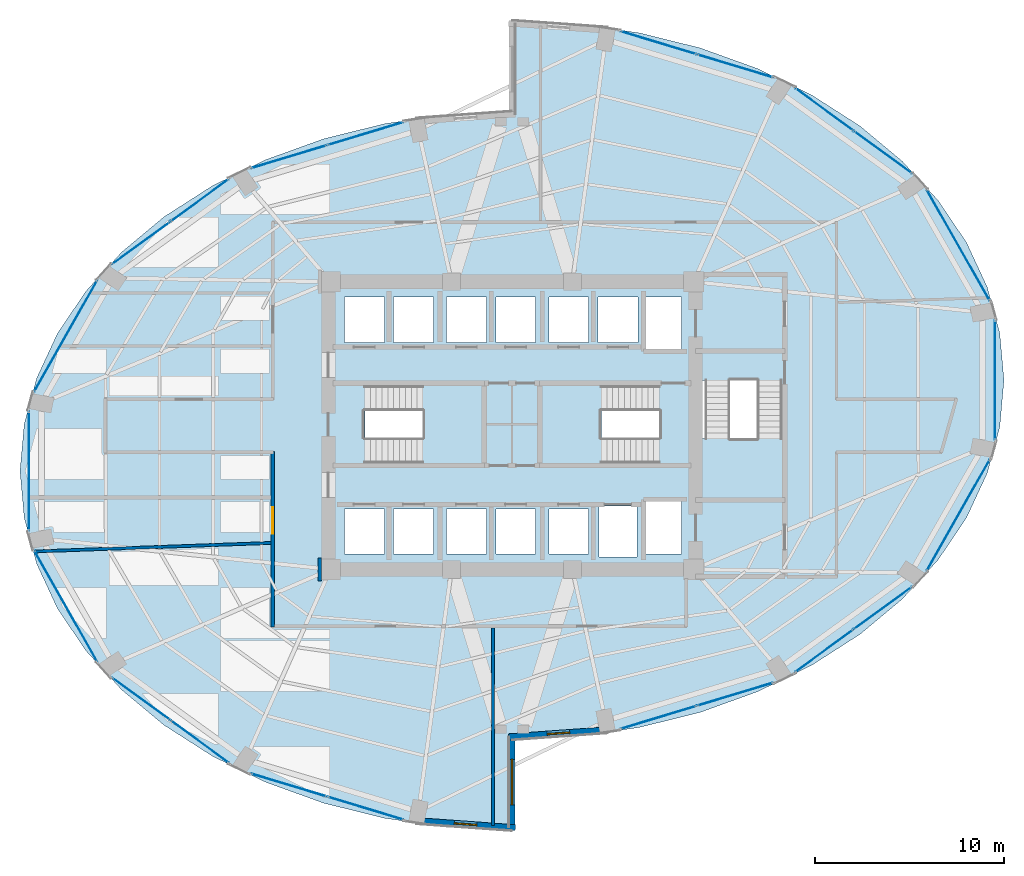
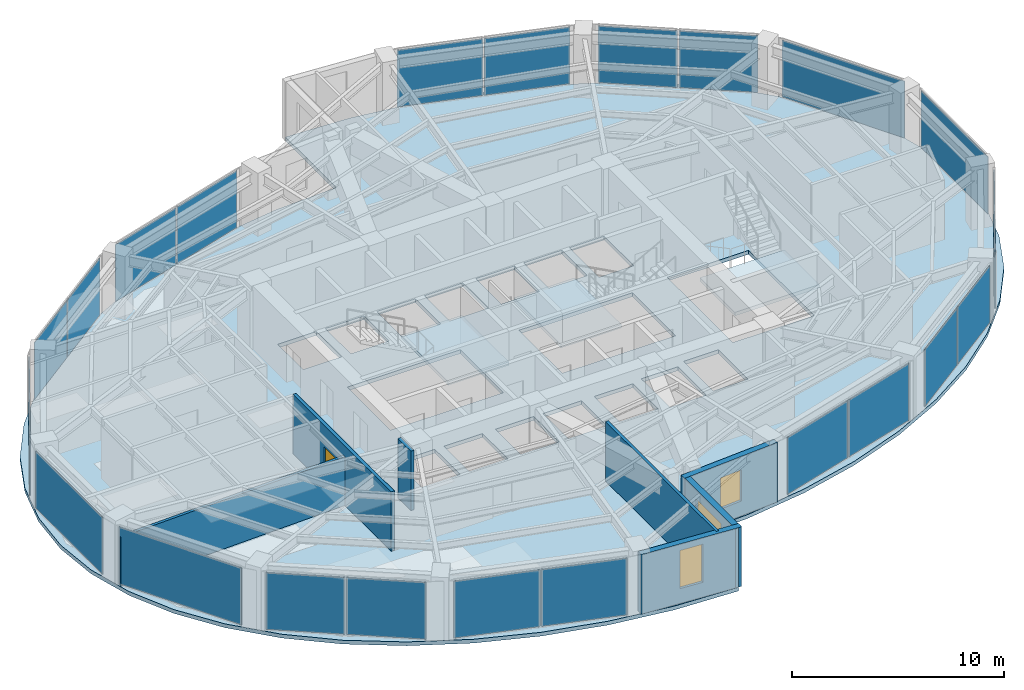
# One storey, part 18 of 23: 22 plates, 7 walls, 4 slabs, 3 windows, 1 door, 4 openings, 17 elements without a shape of their own.
"""IFC4 building model written with IfcOpenShell, lengths in metres."""

from ifc_helpers import new_model, si_unit, direction, frame, frame_2d, origin, origin_2d, place, context, subcontext, project, spatial, polyline, rectangle, outline, extrude, material, layer, layer_set, type_object, element, fill, aggregate, save


model = new_model("IFC4")

# Units and contexts
model_context = context("Model", 3, precision=1e-05, world=origin(), true_north=direction((0.0, 1.0)))
body_context = subcontext(model_context, "Body", "Model", "MODEL_VIEW")
ifc_project = project(units=[si_unit("LENGTHUNIT", "METRE"), si_unit("AREAUNIT", "SQUARE_METRE"), si_unit("VOLUMEUNIT", "CUBIC_METRE"), si_unit("PLANEANGLEUNIT", "RADIAN"), si_unit("MASSUNIT", "GRAM", prefix="KILO")], contexts=[model_context])

# Site, building, storey
site_placement = place(None, origin())
site = spatial("IfcSite", under=ifc_project, at=site_placement, CompositionType="ELEMENT")
building_placement = place(site_placement, origin())
building = spatial("IfcBuilding", under=site, at=building_placement, Name="Lazwardi Medical Tower", CompositionType="ELEMENT")
storey_placement = place(building_placement, frame((0.0, 0.0, 92.68798828125)))
storey = spatial("IfcBuildingStorey", under=building, at=storey_placement, Name="L23", CompositionType="ELEMENT", Elevation=92.68798828125)

# Curtain wall, plates
ifc_material_1 = material(Name="Anodised bronze aluminium and solar control glazing", Category="aluminium")
ifc_layer_1 = layer(ifc_material_1, 0.195068359375)
ifc_layer_set_1 = layer_set([ifc_layer_1], Name="Anodised bronze aluminium and solar control glazing")
curtain_wall_type = type_object("IfcCurtainWallType", Name="CW-SYS-03", PredefinedType="NOTDEFINED", material=ifc_layer_set_1)
curtain_wall_1_placement = place(storey_placement, origin())
curtain_wall_1 = element("IfcCurtainWall", 1, at=curtain_wall_1_placement, inside=storey, type_object=curtain_wall_type, Name="L23 Unitised bronze curtain wall CW-03", PredefinedType="NOTDEFINED")
ifc_material_2 = material(Name="Low-e bronze solar control double glazing", Category="glass")
ifc_layer_2 = layer(ifc_material_2, 0.035888671875)
ifc_layer_set_2 = layer_set([ifc_layer_2], Name="Low-e bronze solar control double glazing")
plate_type = type_object("IfcPlateType", Name="PLT-GLZ-01", PredefinedType="CURTAIN_PANEL", material=ifc_layer_set_2)
plate_1_placement = place(storey_placement, frame((43.73974609375, 12.573486328125, 0.0751953125), z_axis=(0.0, 0.0, 1.0), x_axis=(0.957216170558, 0.28937381157, 0.0)))
plate_1 = element("IfcPlate", 2, at=plate_1_placement, type_object=plate_type, Name="CW-03 panel 1.1", PredefinedType="CURTAIN_PANEL", context=body_context, shape_type="SweptSolid", body=[
    extrude(rectangle(XDim=4.16552734375, YDim=0.035888671875, at=origin_2d()), origin(), (0.0, 0.0, 1.0), 3.278076171875),
])
plate_2_placement = place(storey_placement, frame((47.798828125, 13.800537109375, 0.0751953125), z_axis=(0.0, 0.0, 1.0), x_axis=(0.957216170558, 0.28937381157, 0.0)))
plate_2 = element("IfcPlate", 3, at=plate_2_placement, type_object=plate_type, Name="CW-03 panel 2.1", PredefinedType="CURTAIN_PANEL", context=body_context, shape_type="SweptSolid", body=[
    extrude(rectangle(XDim=4.16552734375, YDim=0.035888671875, at=origin_2d()), origin(), (0.0, 0.0, 1.0), 3.278076171875),
])
aggregate(curtain_wall_1, [plate_1, plate_2])

curtain_wall_2_placement = place(storey_placement, origin())
curtain_wall_2 = element("IfcCurtainWall", 4, at=curtain_wall_2_placement, inside=storey, type_object=curtain_wall_type, Name="L23 Unitised bronze curtain wall CW-03", PredefinedType="NOTDEFINED")
plate_3_placement = place(storey_placement, frame((52.4990234375, 16.093017578125, 0.0751953125), z_axis=(0.0, 0.0, 1.0), x_axis=(0.807745837639, 0.589530882802, 0.0)))
plate_3 = element("IfcPlate", 5, at=plate_3_placement, type_object=plate_type, Name="CW-03 panel 1.1", PredefinedType="CURTAIN_PANEL", context=body_context, shape_type="SweptSolid", body=[
    extrude(rectangle(XDim=3.767578125, YDim=0.035888671875, at=origin_2d()), origin(), (0.0, 0.0, 1.0), 3.278076171875),
])
plate_4_placement = place(storey_placement, frame((55.60302734375, 18.3583984375, 0.0751953125), z_axis=(0.0, 0.0, 1.0), x_axis=(0.807745837639, 0.589530882802, 0.0)))
plate_4 = element("IfcPlate", 6, at=plate_4_placement, type_object=plate_type, Name="CW-03 panel 2.1", PredefinedType="CURTAIN_PANEL", context=body_context, shape_type="SweptSolid", body=[
    extrude(rectangle(XDim=3.767578125, YDim=0.035888671875, at=origin_2d()), origin(), (0.0, 0.0, 1.0), 3.278076171875),
])
aggregate(curtain_wall_2, [plate_3, plate_4])

# Curtain wall, plate
curtain_wall_3_placement = place(storey_placement, origin())
curtain_wall_3 = element("IfcCurtainWall", 7, at=curtain_wall_3_placement, inside=storey, type_object=curtain_wall_type, Name="L23 Unitised bronze curtain wall CW-03", PredefinedType="NOTDEFINED")
plate_5_placement = place(storey_placement, frame((59.5849609375, 23.270263671875, 0.0751953125), z_axis=(0.0, 0.0, 1.0), x_axis=(0.493603140041, 0.869687265712, 0.0)))
plate_5 = element("IfcPlate", 8, at=plate_5_placement, type_object=plate_type, Name="CW-03 panel 1.1", PredefinedType="CURTAIN_PANEL", context=body_context, shape_type="SweptSolid", body=[
    extrude(rectangle(XDim=6.722900390625, YDim=0.035888671875, at=origin_2d()), origin(), (0.0, 0.0, 1.0), 3.278076171875),
])
aggregate(curtain_wall_3, [plate_5])

curtain_wall_4_placement = place(storey_placement, origin())
curtain_wall_4 = element("IfcCurtainWall", 9, at=curtain_wall_4_placement, inside=storey, type_object=curtain_wall_type, Name="L23 Unitised bronze curtain wall CW-03", PredefinedType="NOTDEFINED")
plate_6_placement = place(storey_placement, frame((61.528076171875, 30.39990234375, 0.0751953125), z_axis=(0.0, 0.0, 1.0), x_axis=(0.0, 1.0, 0.0)))
plate_6 = element("IfcPlate", 10, at=plate_6_placement, type_object=plate_type, Name="CW-03 panel 1.1", PredefinedType="CURTAIN_PANEL", context=body_context, shape_type="SweptSolid", body=[
    extrude(rectangle(XDim=6.31982421875, YDim=0.035888671875, at=origin_2d()), origin(), (0.0, 0.0, 1.0), 3.278076171875),
])
aggregate(curtain_wall_4, [plate_6])

curtain_wall_5_placement = place(storey_placement, origin())
curtain_wall_5 = element("IfcCurtainWall", 11, at=curtain_wall_5_placement, inside=storey, type_object=curtain_wall_type, Name="L23 Unitised bronze curtain wall CW-03", PredefinedType="NOTDEFINED")
plate_7_placement = place(storey_placement, frame((59.5849609375, 37.52978515625, 0.0751953125), z_axis=(0.0, 0.0, 1.0), x_axis=(-0.493603140041, 0.869687265712, 0.0)))
plate_7 = element("IfcPlate", 12, at=plate_7_placement, type_object=plate_type, Name="CW-03 panel 1.1", PredefinedType="CURTAIN_PANEL", context=body_context, shape_type="SweptSolid", body=[
    extrude(rectangle(XDim=6.722900390625, YDim=0.035888671875, at=origin_2d()), origin(), (0.0, 0.0, 1.0), 3.278076171875),
])
aggregate(curtain_wall_5, [plate_7])

# Curtain wall, plates
curtain_wall_6_placement = place(storey_placement, origin())
curtain_wall_6 = element("IfcCurtainWall", 13, at=curtain_wall_6_placement, inside=storey, type_object=curtain_wall_type, Name="L23 Unitised bronze curtain wall CW-03", PredefinedType="NOTDEFINED")
plate_8_placement = place(storey_placement, frame((55.60302734375, 42.441650390625, 0.0751953125), z_axis=(0.0, 0.0, 1.0), x_axis=(-0.807745837639, 0.589530882802, 0.0)))
plate_8 = element("IfcPlate", 14, at=plate_8_placement, type_object=plate_type, Name="CW-03 panel 1.1", PredefinedType="CURTAIN_PANEL", context=body_context, shape_type="SweptSolid", body=[
    extrude(rectangle(XDim=3.767578125, YDim=0.035888671875, at=origin_2d()), origin(), (0.0, 0.0, 1.0), 3.278076171875),
])
plate_9_placement = place(storey_placement, frame((52.4990234375, 44.70703125, 0.0751953125), z_axis=(0.0, 0.0, 1.0), x_axis=(-0.807745837639, 0.589530882802, 0.0)))
plate_9 = element("IfcPlate", 15, at=plate_9_placement, type_object=plate_type, Name="CW-03 panel 2.1", PredefinedType="CURTAIN_PANEL", context=body_context, shape_type="SweptSolid", body=[
    extrude(rectangle(XDim=3.767578125, YDim=0.035888671875, at=origin_2d()), origin(), (0.0, 0.0, 1.0), 3.278076171875),
])
aggregate(curtain_wall_6, [plate_8, plate_9])

curtain_wall_7_placement = place(storey_placement, origin())
curtain_wall_7 = element("IfcCurtainWall", 16, at=curtain_wall_7_placement, inside=storey, type_object=curtain_wall_type, Name="L23 Unitised bronze curtain wall CW-03", PredefinedType="NOTDEFINED")
plate_10_placement = place(storey_placement, frame((47.798828125, 46.99951171875, 0.0751953125), z_axis=(0.0, 0.0, 1.0), x_axis=(-0.957216170558, 0.28937381157, 0.0)))
plate_10 = element("IfcPlate", 17, at=plate_10_placement, type_object=plate_type, Name="CW-03 panel 1.1", PredefinedType="CURTAIN_PANEL", context=body_context, shape_type="SweptSolid", body=[
    extrude(rectangle(XDim=4.16552734375, YDim=0.035888671875, at=origin_2d()), origin(), (0.0, 0.0, 1.0), 3.278076171875),
])
plate_11_placement = place(storey_placement, frame((43.73974609375, 48.2265625, 0.0751953125), z_axis=(0.0, 0.0, 1.0), x_axis=(-0.957216170558, 0.28937381157, 0.0)))
plate_11 = element("IfcPlate", 18, at=plate_11_placement, type_object=plate_type, Name="CW-03 panel 2.1", PredefinedType="CURTAIN_PANEL", context=body_context, shape_type="SweptSolid", body=[
    extrude(rectangle(XDim=4.16552734375, YDim=0.035888671875, at=origin_2d()), origin(), (0.0, 0.0, 1.0), 3.278076171875),
])
aggregate(curtain_wall_7, [plate_10, plate_11])

curtain_wall_8_placement = place(storey_placement, origin())
curtain_wall_8 = element("IfcCurtainWall", 19, at=curtain_wall_8_placement, inside=storey, type_object=curtain_wall_type, Name="L23 Unitised bronze curtain wall CW-03", PredefinedType="NOTDEFINED")
plate_12_placement = place(storey_placement, frame((28.26025390625, 43.426513671875, 0.0751953125), z_axis=(0.0, 0.0, 1.0), x_axis=(-0.957216170558, -0.28937381157, 0.0)))
plate_12 = element("IfcPlate", 20, at=plate_12_placement, type_object=plate_type, Name="CW-03 panel 1.1", PredefinedType="CURTAIN_PANEL", context=body_context, shape_type="SweptSolid", body=[
    extrude(rectangle(XDim=4.16552734375, YDim=0.035888671875, at=origin_2d()), origin(), (0.0, 0.0, 1.0), 3.278076171875),
])
plate_13_placement = place(storey_placement, frame((24.201171875, 42.199462890625, 0.0751953125), z_axis=(0.0, 0.0, 1.0), x_axis=(-0.957216170558, -0.28937381157, 0.0)))
plate_13 = element("IfcPlate", 21, at=plate_13_placement, type_object=plate_type, Name="CW-03 panel 2.1", PredefinedType="CURTAIN_PANEL", context=body_context, shape_type="SweptSolid", body=[
    extrude(rectangle(XDim=4.16552734375, YDim=0.035888671875, at=origin_2d()), origin(), (0.0, 0.0, 1.0), 3.278076171875),
])
aggregate(curtain_wall_8, [plate_12, plate_13])

curtain_wall_9_placement = place(storey_placement, origin())
curtain_wall_9 = element("IfcCurtainWall", 22, at=curtain_wall_9_placement, inside=storey, type_object=curtain_wall_type, Name="L23 Unitised bronze curtain wall CW-03", PredefinedType="NOTDEFINED")
plate_14_placement = place(storey_placement, frame((19.5009765625, 39.906982421875, 0.0751953125), z_axis=(0.0, 0.0, 1.0), x_axis=(-0.807745837639, -0.589530882802, 0.0)))
plate_14 = element("IfcPlate", 23, at=plate_14_placement, type_object=plate_type, Name="CW-03 panel 1.1", PredefinedType="CURTAIN_PANEL", context=body_context, shape_type="SweptSolid", body=[
    extrude(rectangle(XDim=3.767578125, YDim=0.035888671875, at=origin_2d()), origin(), (0.0, 0.0, 1.0), 3.278076171875),
])
plate_15_placement = place(storey_placement, frame((16.39697265625, 37.6416015625, 0.0751953125), z_axis=(0.0, 0.0, 1.0), x_axis=(-0.807745837639, -0.589530882802, 0.0)))
plate_15 = element("IfcPlate", 24, at=plate_15_placement, type_object=plate_type, Name="CW-03 panel 2.1", PredefinedType="CURTAIN_PANEL", context=body_context, shape_type="SweptSolid", body=[
    extrude(rectangle(XDim=3.767578125, YDim=0.035888671875, at=origin_2d()), origin(), (0.0, 0.0, 1.0), 3.278076171875),
])
aggregate(curtain_wall_9, [plate_14, plate_15])

# Curtain wall, plate
curtain_wall_10_placement = place(storey_placement, origin())
curtain_wall_10 = element("IfcCurtainWall", 25, at=curtain_wall_10_placement, inside=storey, type_object=curtain_wall_type, Name="L23 Unitised bronze curtain wall CW-03", PredefinedType="NOTDEFINED")
plate_16_placement = place(storey_placement, frame((12.4150390625, 32.729736328125, 0.0751953125), z_axis=(0.0, 0.0, 1.0), x_axis=(-0.493603140041, -0.869687265712, 0.0)))
plate_16 = element("IfcPlate", 26, at=plate_16_placement, type_object=plate_type, Name="CW-03 panel 1.1", PredefinedType="CURTAIN_PANEL", context=body_context, shape_type="SweptSolid", body=[
    extrude(rectangle(XDim=6.722900390625, YDim=0.035888671875, at=origin_2d()), origin(), (0.0, 0.0, 1.0), 3.278076171875),
])
aggregate(curtain_wall_10, [plate_16])

curtain_wall_11_placement = place(storey_placement, origin())
curtain_wall_11 = element("IfcCurtainWall", 27, at=curtain_wall_11_placement, inside=storey, type_object=curtain_wall_type, Name="L23 Unitised bronze curtain wall CW-03", PredefinedType="NOTDEFINED")
plate_17_placement = place(storey_placement, frame((10.471923828125, 25.60009765625, 0.0751953125), z_axis=(0.0, 0.0, 1.0), x_axis=(0.0, -1.0, 0.0)))
plate_17 = element("IfcPlate", 28, at=plate_17_placement, type_object=plate_type, Name="CW-03 panel 1.1", PredefinedType="CURTAIN_PANEL", context=body_context, shape_type="SweptSolid", body=[
    extrude(rectangle(XDim=6.31982421875, YDim=0.035888671875, at=origin_2d()), origin(), (0.0, 0.0, 1.0), 3.278076171875),
])
aggregate(curtain_wall_11, [plate_17])

curtain_wall_12_placement = place(storey_placement, origin())
curtain_wall_12 = element("IfcCurtainWall", 29, at=curtain_wall_12_placement, inside=storey, type_object=curtain_wall_type, Name="L23 Unitised bronze curtain wall CW-03", PredefinedType="NOTDEFINED")
plate_18_placement = place(storey_placement, frame((12.4150390625, 18.47021484375, 0.0751953125), z_axis=(0.0, 0.0, 1.0), x_axis=(0.493603140041, -0.869687265712, 0.0)))
plate_18 = element("IfcPlate", 30, at=plate_18_placement, type_object=plate_type, Name="CW-03 panel 1.1", PredefinedType="CURTAIN_PANEL", context=body_context, shape_type="SweptSolid", body=[
    extrude(rectangle(XDim=6.722900390625, YDim=0.035888671875, at=origin_2d()), origin(), (0.0, 0.0, 1.0), 3.278076171875),
])
aggregate(curtain_wall_12, [plate_18])

# Curtain wall, plates
curtain_wall_13_placement = place(storey_placement, origin())
curtain_wall_13 = element("IfcCurtainWall", 31, at=curtain_wall_13_placement, inside=storey, type_object=curtain_wall_type, Name="L23 Unitised bronze curtain wall CW-03", PredefinedType="NOTDEFINED")
plate_19_placement = place(storey_placement, frame((16.39697265625, 13.558349609375, 0.0751953125), z_axis=(0.0, 0.0, 1.0), x_axis=(0.807745837639, -0.589530882802, 0.0)))
plate_19 = element("IfcPlate", 32, at=plate_19_placement, type_object=plate_type, Name="CW-03 panel 1.1", PredefinedType="CURTAIN_PANEL", context=body_context, shape_type="SweptSolid", body=[
    extrude(rectangle(XDim=3.767578125, YDim=0.035888671875, at=origin_2d()), origin(), (0.0, 0.0, 1.0), 3.278076171875),
])
plate_20_placement = place(storey_placement, frame((19.5009765625, 11.29296875, 0.0751953125), z_axis=(0.0, 0.0, 1.0), x_axis=(0.807745837639, -0.589530882802, 0.0)))
plate_20 = element("IfcPlate", 33, at=plate_20_placement, type_object=plate_type, Name="CW-03 panel 2.1", PredefinedType="CURTAIN_PANEL", context=body_context, shape_type="SweptSolid", body=[
    extrude(rectangle(XDim=3.767578125, YDim=0.035888671875, at=origin_2d()), origin(), (0.0, 0.0, 1.0), 3.278076171875),
])
aggregate(curtain_wall_13, [plate_19, plate_20])

curtain_wall_14_placement = place(storey_placement, origin())
curtain_wall_14 = element("IfcCurtainWall", 34, at=curtain_wall_14_placement, inside=storey, type_object=curtain_wall_type, Name="L23 Unitised bronze curtain wall CW-03", PredefinedType="NOTDEFINED")
plate_21_placement = place(storey_placement, frame((24.201171875, 9.00048828125, 0.0751953125), z_axis=(0.0, 0.0, 1.0), x_axis=(0.957216170558, -0.28937381157, 0.0)))
plate_21 = element("IfcPlate", 35, at=plate_21_placement, type_object=plate_type, Name="CW-03 panel 1.1", PredefinedType="CURTAIN_PANEL", context=body_context, shape_type="SweptSolid", body=[
    extrude(rectangle(XDim=4.16552734375, YDim=0.035888671875, at=origin_2d()), origin(), (0.0, 0.0, 1.0), 3.278076171875),
])
plate_22_placement = place(storey_placement, frame((28.26025390625, 7.7734375, 0.0751953125), z_axis=(0.0, 0.0, 1.0), x_axis=(0.957216170558, -0.28937381157, 0.0)))
plate_22 = element("IfcPlate", 36, at=plate_22_placement, type_object=plate_type, Name="CW-03 panel 2.1", PredefinedType="CURTAIN_PANEL", context=body_context, shape_type="SweptSolid", body=[
    extrude(rectangle(XDim=4.16552734375, YDim=0.035888671875, at=origin_2d()), origin(), (0.0, 0.0, 1.0), 3.278076171875),
])
aggregate(curtain_wall_14, [plate_21, plate_22])

# Stair, slab
ifc_material_3 = material(Name="Concrete C45/55", Category="concrete")
stair_type = type_object("IfcStairType", Name="STR-WRD", PredefinedType="HALF_TURN_STAIR", material=ifc_material_3)
stair_1_placement = place(storey_placement, origin())
stair_1 = element("IfcStair", 37, at=stair_1_placement, inside=storey, type_object=stair_type, Name="L23 Protected Exit Stair ST1", PredefinedType="HALF_TURN_STAIR")
ifc_layer_3 = layer(ifc_material_3, 0.199951171875)
ifc_layer_set_3 = layer_set([ifc_layer_3], Name="Concrete C45/55")
slab_type_1 = type_object("IfcSlabType", Name="SLB-LND-190", PredefinedType="LANDING", material=ifc_layer_set_3)
slab_1_placement = place(storey_placement, frame((0.0, 0.0, 1.6240234375)))
slab_1 = element("IfcSlab", 38, at=slab_1_placement, type_object=slab_type_1, Name="ST1 landing 1", PredefinedType="LANDING", context=body_context, shape_type="SweptSolid", body=[
    extrude(outline(polyline([(31.27490234375, 25.840087890625), (34.580078125, 25.840087890625), (34.580078125, 30.280029296875), (31.27490234375, 30.280029296875), (31.27490234375, 25.840087890625)])), origin(), (0.0, 0.0, 1.0), 0.199951171875),
])
aggregate(stair_1, [slab_1])

stair_2_placement = place(storey_placement, origin())
stair_2 = element("IfcStair", 39, at=stair_2_placement, inside=storey, type_object=stair_type, Name="L23 Protected Exit Stair ST2", PredefinedType="HALF_TURN_STAIR")
slab_2_placement = place(storey_placement, frame((0.0, 0.0, 1.6240234375)))
slab_2 = element("IfcSlab", 40, at=slab_2_placement, type_object=slab_type_1, Name="ST2 landing 1", PredefinedType="LANDING", context=body_context, shape_type="SweptSolid", body=[
    extrude(outline(polyline([(40.72509765625, 30.280029296875), (37.419921875, 30.280029296875), (37.419921875, 25.840087890625), (40.72509765625, 25.840087890625), (40.72509765625, 30.280029296875)])), origin(), (0.0, 0.0, 1.0), 0.199951171875),
])
aggregate(stair_2, [slab_2])

stair_3_placement = place(storey_placement, origin())
stair_3 = element("IfcStair", 41, at=stair_3_placement, inside=storey, type_object=stair_type, Name="L23 Protected Exit Stair ST3", PredefinedType="HALF_TURN_STAIR")
slab_3_placement = place(storey_placement, frame((0.0, 0.0, 1.6240234375)))
slab_3 = element("IfcSlab", 42, at=slab_3_placement, type_object=slab_type_1, Name="ST3 landing 1", PredefinedType="LANDING", context=body_context, shape_type="SweptSolid", body=[
    extrude(outline(polyline([(45.860107421875, 27.324951171875), (45.860107421875, 24.02001953125), (50.4599609375, 24.02001953125), (50.4599609375, 27.324951171875), (45.860107421875, 27.324951171875)])), origin(), (0.0, 0.0, 1.0), 0.199951171875),
])
aggregate(stair_3, [slab_3])

# Slab
ifc_material_4 = material(Name="Concrete C50/60", Category="concrete")
ifc_layer_4 = layer(ifc_material_4, 0.219970703125)
ifc_layer_set_4 = layer_set([ifc_layer_4], Name="Concrete C50/60")
slab_type_2 = type_object("IfcSlabType", Name="SLB-WRD-220", PredefinedType="FLOOR", material=ifc_layer_set_4)
slab_4_placement = place(storey_placement, frame((0.0, 0.0, -0.219970703125)))
element("IfcSlab", 43, at=slab_4_placement, inside=storey, type_object=slab_type_2, Name="Structural floor slab SF-03 L23", PredefinedType="FLOOR", context=body_context, shape_type="SweptSolid", body=[
    extrude(outline(polyline([(11.97900390625, 32.87109375), (10.885986328125, 30.517578125), (10.222412109375, 28.080078125), (10.0, 25.60009765625), (10.222412109375, 23.1201171875), (10.885986328125, 20.682373046875), (11.97900390625, 18.3291015625), (13.4833984375, 16.10009765625), (15.372802734375, 14.033447265625), (17.615234375, 12.1650390625), (20.172119140625, 10.5263671875), (23.0, 9.1455078125), (26.05029296875, 8.04638671875), (29.270751953125, 7.247314453125), (32.606201171875, 6.762451171875), (36.0, 6.60009765625), (36.0, 11.39990234375), (39.393798828125, 11.5625), (42.729248046875, 12.04736328125), (45.94970703125, 12.84619140625), (49.0, 13.945556640625), (51.827880859375, 15.326416015625), (54.384765625, 16.965087890625), (56.627197265625, 18.83349609375), (58.5166015625, 20.89990234375), (60.02099609375, 23.12890625), (61.114013671875, 25.482421875), (61.777587890625, 27.919921875), (62.0, 30.39990234375), (61.777587890625, 32.8798828125), (61.114013671875, 35.317626953125), (60.02099609375, 37.6708984375), (58.5166015625, 39.89990234375), (56.627197265625, 41.966552734375), (54.384765625, 43.8349609375), (51.827880859375, 45.4736328125), (49.0, 46.8544921875), (45.94970703125, 47.95361328125), (42.729248046875, 48.752685546875), (39.393798828125, 49.237548828125), (36.0, 49.39990234375), (36.0, 44.60009765625), (32.606201171875, 44.4375), (29.270751953125, 43.95263671875), (26.05029296875, 43.15380859375), (23.0, 42.054443359375), (20.172119140625, 40.673583984375), (17.615234375, 39.034912109375), (15.372802734375, 37.16650390625), (13.4833984375, 35.10009765625), (11.97900390625, 32.87109375)]), holes=[polyline([(28.22509765625, 26.02001953125), (28.22509765625, 30.10009765625), (34.39990234375, 30.10009765625), (34.39990234375, 26.02001953125), (28.22509765625, 26.02001953125)]), polyline([(37.60009765625, 30.10009765625), (43.77490234375, 30.10009765625), (43.77490234375, 26.02001953125), (37.60009765625, 26.02001953125), (37.60009765625, 30.10009765625)]), polyline([(50.280029296875, 30.375), (50.280029296875, 24.179931640625), (45.840087890625, 24.179931640625), (45.840087890625, 30.375), (50.280029296875, 30.375)]), polyline([(29.25, 32.39990234375), (27.14990234375, 32.39990234375), (27.14990234375, 34.800048828125), (29.25, 34.800048828125), (29.25, 32.39990234375)]), polyline([(29.75, 32.39990234375), (29.75, 34.800048828125), (31.85009765625, 34.800048828125), (31.85009765625, 32.39990234375), (29.75, 32.39990234375)]), polyline([(27.14990234375, 23.60009765625), (29.25, 23.60009765625), (29.25, 21.199951171875), (27.14990234375, 21.199951171875), (27.14990234375, 23.60009765625)]), polyline([(31.85009765625, 23.60009765625), (31.85009765625, 21.199951171875), (29.75, 21.199951171875), (29.75, 23.60009765625), (31.85009765625, 23.60009765625)]), polyline([(34.64990234375, 32.39990234375), (32.550048828125, 32.39990234375), (32.550048828125, 34.800048828125), (34.64990234375, 34.800048828125), (34.64990234375, 32.39990234375)]), polyline([(35.14990234375, 32.39990234375), (35.14990234375, 34.800048828125), (37.25, 34.800048828125), (37.25, 32.39990234375), (35.14990234375, 32.39990234375)]), polyline([(32.550048828125, 23.60009765625), (34.64990234375, 23.60009765625), (34.64990234375, 21.199951171875), (32.550048828125, 21.199951171875), (32.550048828125, 23.60009765625)]), polyline([(37.25, 23.60009765625), (37.25, 21.199951171875), (35.14990234375, 21.199951171875), (35.14990234375, 23.60009765625), (37.25, 23.60009765625)]), polyline([(40.050048828125, 32.39990234375), (37.949951171875, 32.39990234375), (37.949951171875, 34.800048828125), (40.050048828125, 34.800048828125), (40.050048828125, 32.39990234375)]), polyline([(40.550048828125, 32.39990234375), (40.550048828125, 34.800048828125), (42.64990234375, 34.800048828125), (42.64990234375, 32.39990234375), (40.550048828125, 32.39990234375)]), polyline([(37.949951171875, 23.60009765625), (40.050048828125, 23.60009765625), (40.050048828125, 21.199951171875), (37.949951171875, 21.199951171875), (37.949951171875, 23.60009765625)]), polyline([(44.949951171875, 34.800048828125), (44.949951171875, 32.0), (43.050048828125, 32.0), (43.050048828125, 34.800048828125), (44.949951171875, 34.800048828125)]), polyline([(44.949951171875, 21.199951171875), (43.050048828125, 21.199951171875), (43.050048828125, 24.0), (44.949951171875, 24.0), (44.949951171875, 21.199951171875)]), polyline([(40.60009765625, 21.050048828125), (40.60009765625, 23.75), (42.60009765625, 23.75), (42.60009765625, 21.050048828125), (40.60009765625, 21.050048828125)])]), origin(), (0.0, 0.0, 1.0), 0.219970703125),
])

# Wall
ifc_material_5 = material(Name="Fire-rated gypsum board on steel stud", Category="steel")
ifc_layer_5 = layer(ifc_material_5, 0.179931640625)
ifc_layer_set_5 = layer_set([ifc_layer_5], Name="Fire-rated gypsum board on steel stud")
wall_type_1 = type_object("IfcWallType", Name="WL-COR-180", PredefinedType="PARTITIONING", material=ifc_layer_set_5)
wall_1_placement = place(storey_placement, frame((25.830078125, 21.010009765625, 0.0), z_axis=(0.0, 0.0, 1.0), x_axis=(0.0, -1.0, 0.0)))
element("IfcWall", 44, at=wall_1_placement, inside=storey, type_object=wall_type_1, Name="L23 Corridor partition 12", PredefinedType="PARTITIONING", context=body_context, shape_type="SweptSolid", body=[
    extrude(rectangle(XDim=1.219970703125, YDim=0.179931640625, at=frame_2d((0.60986328125, 0.0))), origin(), (0.0, 0.0, 1.0), 3.427978515625),
])

# Wall, opening, door
wall_2_placement = place(storey_placement, frame((23.35009765625, 17.360107421875, 0.0), z_axis=(0.0, 0.0, 1.0), x_axis=(0.0, 1.0, 0.0)))
wall_2 = element("IfcWall", 45, at=wall_2_placement, inside=storey, type_object=wall_type_1, Name="L23 Corridor partition 15", PredefinedType="PARTITIONING", context=body_context, shape_type="SweptSolid", body=[
    extrude(rectangle(XDim=9.27978515625, YDim=0.179931640625, at=frame_2d((4.639892578125, 0.0))), origin(), (0.0, 0.0, 1.0), 3.427978515625),
])
opening_1_placement = place(wall_2_placement, frame((4.9208984375, 0.0, 0.0)))
opening_1 = element("IfcOpeningElement", 46, at=opening_1_placement, cuts=wall_2, Name="Opening D-L23-009", PredefinedType="OPENING", context=body_context, shape_type="SweptSolid", body=[
    extrude(rectangle(XDim=1.39990234375, YDim=2.199951171875, at=frame_2d((0.699951171875, 1.10009765625))), frame((0.0, 0.099853515625, 0.0), z_axis=(0.0, -1.0, 0.0), x_axis=(1.0, 0.0, 0.0)), (0.0, 0.0, 1.0), 0.199951171875),
])
ifc_material_6 = material(Name="Anti-microbial laminate hospital leaf")
door_type = type_object("IfcDoorType", Name="DR-BED-1400", OperationType="NOTDEFINED", PredefinedType="DOOR", material=ifc_material_6)
door_placement = place(opening_1_placement, origin())
door = element("IfcDoor", 47, at=door_placement, inside=storey, type_object=door_type, Name="L23 Inpatient Ward Door 01", OperationType="SINGLE_SWING_RIGHT", OverallHeight=2.199951171875, OverallWidth=1.39990234375, PredefinedType="DOOR", context=body_context, shape_type="SweptSolid", body=[
    extrude(rectangle(XDim=1.39990234375, YDim=2.199951171875, at=frame_2d((0.699951171875, 1.10009765625))), frame((0.0, 0.02490234375, 0.0), z_axis=(0.0, -1.0, 0.0), x_axis=(1.0, 0.0, 0.0)), (0.0, 0.0, 1.0), 0.050048828125),
])
fill(opening_1, door)

# Wall, opening, window
ifc_material_7 = material(Name="Precast concrete C45/55", Category="concrete")
ifc_layer_6 = layer(ifc_material_7, 0.320068359375)
ifc_layer_set_6 = layer_set([ifc_layer_6], Name="Precast concrete C45/55")
wall_type_2 = type_object("IfcWallType", Name="WL-IWAN-320", PredefinedType="SOLIDWALL", material=ifc_layer_set_6)
wall_3_placement = place(storey_placement, frame((35.820556640625, 11.547119140625, 0.0), z_axis=(0.0, 0.0, 1.0), x_axis=(0.997432364291, 0.071614793619, 0.0)))
wall_3 = element("IfcWall", 48, at=wall_3_placement, inside=storey, type_object=wall_type_2, Name="L23 Iwan Portal Return Wall SE_ret", PredefinedType="SOLIDWALL", context=body_context, shape_type="SweptSolid", body=[
    extrude(rectangle(XDim=5.2841796875, YDim=0.320068359375, at=frame_2d((2.64208984375, 0.0))), origin(), (0.0, 0.0, 1.0), 3.427978515625),
])
opening_2_placement = place(wall_3_placement, frame((2.0419921875, 0.0, 0.85009765625)))
opening_2 = element("IfcOpeningElement", 49, at=opening_2_placement, cuts=wall_3, Name="Opening WN-04", PredefinedType="OPENING", context=body_context, shape_type="SweptSolid", body=[
    extrude(rectangle(XDim=1.199951171875, YDim=1.800048828125, at=frame_2d((0.60009765625, 0.89990234375))), frame((0.0, 0.169921875, 0.0), z_axis=(0.0, -1.0, 0.0), x_axis=(1.0, 0.0, 0.0)), (0.0, 0.0, 1.0), 0.340087890625),
])
window_type_1 = type_object("IfcWindowType", Name="WIN-DRUM-1200", PartitioningType="SINGLE_PANEL", PredefinedType="WINDOW", material=ifc_material_2)
window_1_placement = place(opening_2_placement, origin())
window_1 = element("IfcWindow", 50, at=window_1_placement, inside=storey, type_object=window_type_1, Name="L23 Iwan Slot Window SE_ret", OverallHeight=1.800048828125, OverallWidth=1.199951171875, PartitioningType="SINGLE_PANEL", PredefinedType="WINDOW", context=body_context, shape_type="SweptSolid", body=[
    extrude(rectangle(XDim=1.199951171875, YDim=1.800048828125, at=frame_2d((0.60009765625, 0.89990234375))), frame((0.0, 0.030029296875, 0.0), z_axis=(0.0, -1.0, 0.0), x_axis=(1.0, 0.0, 0.0)), (0.0, 0.0, 1.0), 0.06005859375),
])
fill(opening_2, window_1)

wall_4_placement = place(storey_placement, frame((30.908935546875, 7.12548828125, 0.0), z_axis=(0.0, 0.0, 1.0), x_axis=(0.997431890304, -0.071621394884, 0.0)))
wall_4 = element("IfcWall", 51, at=wall_4_placement, inside=storey, type_object=wall_type_2, Name="L23 Iwan Portal Return Wall SW_ret", PredefinedType="SOLIDWALL", context=body_context, shape_type="SweptSolid", body=[
    extrude(rectangle(XDim=5.28369140625, YDim=0.320068359375, at=frame_2d((2.641845703125, 0.0))), origin(), (0.0, 0.0, 1.0), 3.427978515625),
])
opening_3_placement = place(wall_4_placement, frame((2.041748046875, 0.0, 0.85009765625)))
opening_3 = element("IfcOpeningElement", 52, at=opening_3_placement, cuts=wall_4, Name="Opening WN-01", PredefinedType="OPENING", context=body_context, shape_type="SweptSolid", body=[
    extrude(rectangle(XDim=1.199951171875, YDim=2.199951171875, at=frame_2d((0.60009765625, 1.10009765625))), frame((0.0, 0.169921875, 0.0), z_axis=(0.0, -1.0, 0.0), x_axis=(1.0, 0.0, 0.0)), (0.0, 0.0, 1.0), 0.340087890625),
])
window_type_2 = type_object("IfcWindowType", Name="WIN-IW-1200", PartitioningType="SINGLE_PANEL", PredefinedType="WINDOW", material=ifc_material_2)
window_2_placement = place(opening_3_placement, origin())
window_2 = element("IfcWindow", 53, at=window_2_placement, inside=storey, type_object=window_type_2, Name="L23 Iwan Slot Window SW_ret", OverallHeight=2.199951171875, OverallWidth=1.199951171875, PartitioningType="SINGLE_PANEL", PredefinedType="WINDOW", context=body_context, shape_type="SweptSolid", body=[
    extrude(rectangle(XDim=1.199951171875, YDim=2.199951171875, at=frame_2d((0.60009765625, 1.10009765625))), frame((0.0, 0.030029296875, 0.0), z_axis=(0.0, -1.0, 0.0), x_axis=(1.0, 0.0, 0.0)), (0.0, 0.0, 1.0), 0.06005859375),
])
fill(opening_3, window_2)

wall_5_placement = place(storey_placement, frame((36.0, 6.60009765625, 0.0), z_axis=(0.0, 0.0, 1.0), x_axis=(0.0, 1.0, 0.0)))
wall_5 = element("IfcWall", 54, at=wall_5_placement, inside=storey, type_object=wall_type_2, Name="L23 Turquoise Tilework Iwan Seam Wall S_seam", PredefinedType="SOLIDWALL", context=body_context, shape_type="SweptSolid", body=[
    extrude(rectangle(XDim=5.119873046875, YDim=0.320068359375, at=frame_2d((2.56005859375, 0.0))), origin(), (0.0, 0.0, 1.0), 3.427978515625),
])
opening_4_placement = place(wall_5_placement, frame((1.360107421875, 0.0, 0.840087890625)))
opening_4 = element("IfcOpeningElement", 55, at=opening_4_placement, cuts=wall_5, Name="Opening WN-02", PredefinedType="OPENING", context=body_context, shape_type="SweptSolid", body=[
    extrude(rectangle(XDim=2.39990234375, YDim=2.0400390625, at=frame_2d((1.199951171875, 1.02001953125))), frame((0.0, 0.169921875, 0.0), z_axis=(0.0, -1.0, 0.0), x_axis=(1.0, 0.0, 0.0)), (0.0, 0.0, 1.0), 0.340087890625),
])
window_type_3 = type_object("IfcWindowType", Name="WIN-IW-2400", PartitioningType="SINGLE_PANEL", PredefinedType="WINDOW", material=ifc_material_2)
window_3_placement = place(opening_4_placement, origin())
window_3 = element("IfcWindow", 56, at=window_3_placement, inside=storey, type_object=window_type_3, Name="L23 Iwan Seam Window S_seam", OverallHeight=2.0400390625, OverallWidth=2.39990234375, PartitioningType="SINGLE_PANEL", PredefinedType="WINDOW", context=body_context, shape_type="SweptSolid", body=[
    extrude(rectangle(XDim=2.39990234375, YDim=2.0400390625, at=frame_2d((1.199951171875, 1.02001953125))), frame((0.0, 0.030029296875, 0.0), z_axis=(0.0, -1.0, 0.0), x_axis=(1.0, 0.0, 0.0)), (0.0, 0.0, 1.0), 0.06005859375),
])
fill(opening_4, window_3)

# Walls
ifc_material_8 = material(Name="Acoustic gypsum board partition")
ifc_layer_7 = layer(ifc_material_8, 0.14990234375)
ifc_layer_set_7 = layer_set([ifc_layer_7], Name="Acoustic gypsum board partition")
wall_type_3 = type_object("IfcWallType", Name="WL-WRD-150", PredefinedType="PARTITIONING", material=ifc_layer_set_7)
wall_6_placement = place(storey_placement, frame((10.774169921875, 21.34619140625, 0.0), z_axis=(0.0, 0.0, 1.0), x_axis=(0.999347780952, 0.036111116092, 0.0)))
element("IfcWall", 57, at=wall_6_placement, inside=storey, type_object=wall_type_3, Name="L23 Room partition 1", PredefinedType="PARTITIONING", context=body_context, shape_type="SweptSolid", body=[
    extrude(rectangle(XDim=12.493896484375, YDim=0.14990234375, at=frame_2d((6.2470703125, 0.0))), origin(), (0.0, 0.0, 1.0), 2.81298828125),
])
wall_7_placement = place(storey_placement, frame((35.0, 6.855712890625, 0.0), z_axis=(0.0, 0.0, 1.0), x_axis=(0.0, 1.0, 0.0)))
element("IfcWall", 58, at=wall_7_placement, inside=storey, type_object=wall_type_3, Name="L23 Room partition 7", PredefinedType="PARTITIONING", context=body_context, shape_type="SweptSolid", body=[
    extrude(rectangle(XDim=10.454345703125, YDim=0.14990234375, at=frame_2d((5.22705078125, 0.0))), origin(), (0.0, 0.0, 1.0), 3.427978515625),
])

save(model, "model.ifc")
